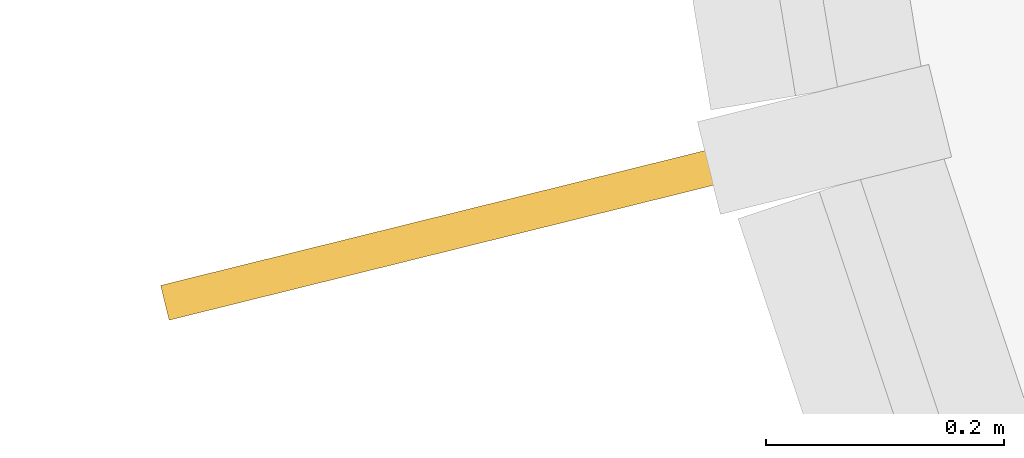
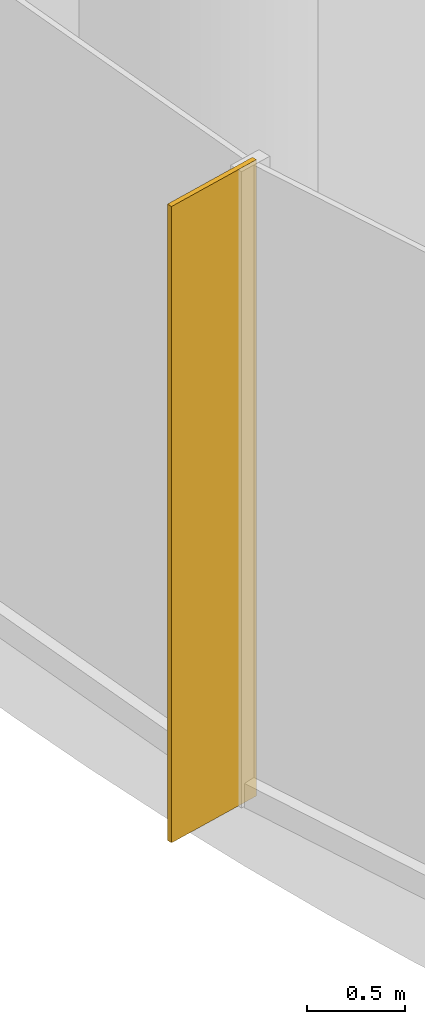
# One storey, part 17 of 19: 1 shading device.
"""IFC4 building model written with IfcOpenShell, lengths in metres."""

from ifc_helpers import new_model, si_unit, direction, frame, origin, origin_2d, place, context, subcontext, project, spatial, rectangle, extrude, source, transform, mapped, material, material_profile, profile_set, type_object, element, save


model = new_model("IFC4")

# Units and contexts
model_context = context("Model", 3, precision=1e-05, world=origin(), true_north=direction((0.0, 1.0)))
body_context = subcontext(model_context, "Body", "Model", "MODEL_VIEW")
ifc_project = project(units=[si_unit("LENGTHUNIT", "METRE"), si_unit("AREAUNIT", "SQUARE_METRE"), si_unit("VOLUMEUNIT", "CUBIC_METRE"), si_unit("PLANEANGLEUNIT", "RADIAN"), si_unit("MASSUNIT", "GRAM", prefix="KILO")], contexts=[model_context])

# Site, building, storey
site_placement = place(None, origin())
site = spatial("IfcSite", under=ifc_project, at=site_placement, CompositionType="ELEMENT")
building_placement = place(site_placement, origin())
building = spatial("IfcBuilding", under=site, at=building_placement, Name="Spindrift Exchange Tower", CompositionType="ELEMENT")
storey_placement = place(building_placement, frame((0.0, 0.0, 44.60009765625)))
storey = spatial("IfcBuildingStorey", under=building, at=storey_placement, Name="L10", CompositionType="ELEMENT", Elevation=44.60009765625)

# Shading device
ifc_material = material(Name="Bronze anodised aluminium", Category="aluminium")
ifc_material_profile = material_profile(ifc_material, rectangle(XDim=0.030029296875, YDim=0.60009765625, at=origin_2d()), Name="WIND FIN 30X600")
ifc_profile_set = profile_set([ifc_material_profile], Name="Bronze anodised aluminium")
shading_device_type = type_object("IfcShadingDeviceType", Name="WIND FIN 30X600", PredefinedType="USERDEFINED", material=ifc_profile_set)
shared_shape = source(origin(), body_context, "Body", "SweptSolid", [
    extrude(rectangle(XDim=0.030029296875, YDim=0.60009765625, at=origin_2d()), origin(), (0.0, 0.0, 1.0), 3.949951171875),
])
shading_device_placement = place(storey_placement, frame((14.26513671875, 39.91943359375, 0.0), z_axis=(0.0, 0.0, 1.0), x_axis=(0.240475390776, -0.970655235617, 0.0)))
element("IfcShadingDevice", 1, at=shading_device_placement, inside=storey, type_object=shading_device_type, Name="L10 wind fin 1", ObjectType="FIN", PredefinedType="USERDEFINED", context=body_context, shape_type="MappedRepresentation", body=[
    mapped(shared_shape, transform((0.0, 0.0, 0.0), scale=1.0)),
])

save(model, "model.ifc")
